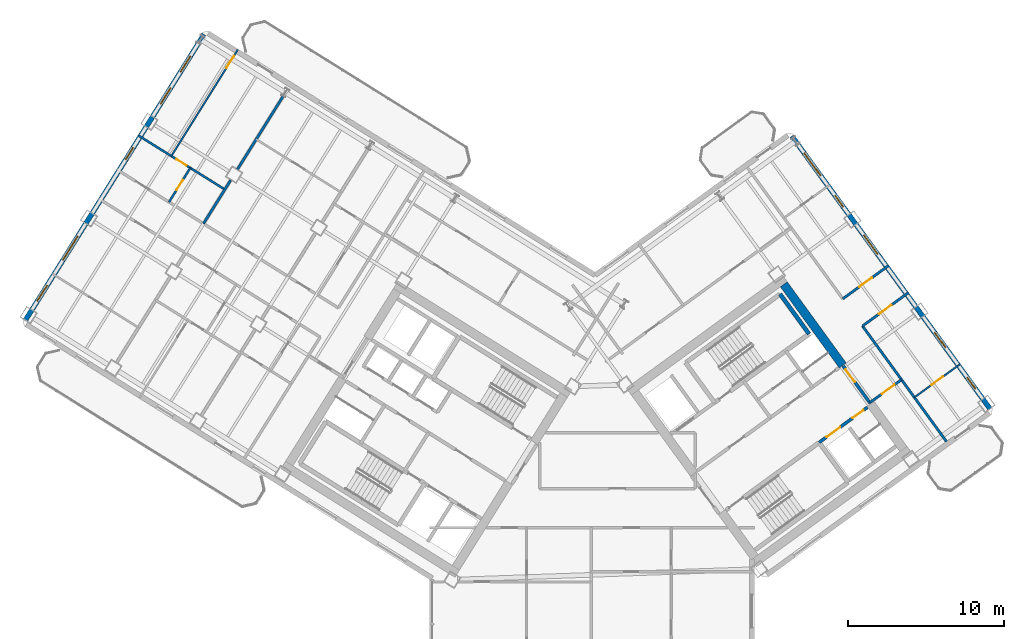
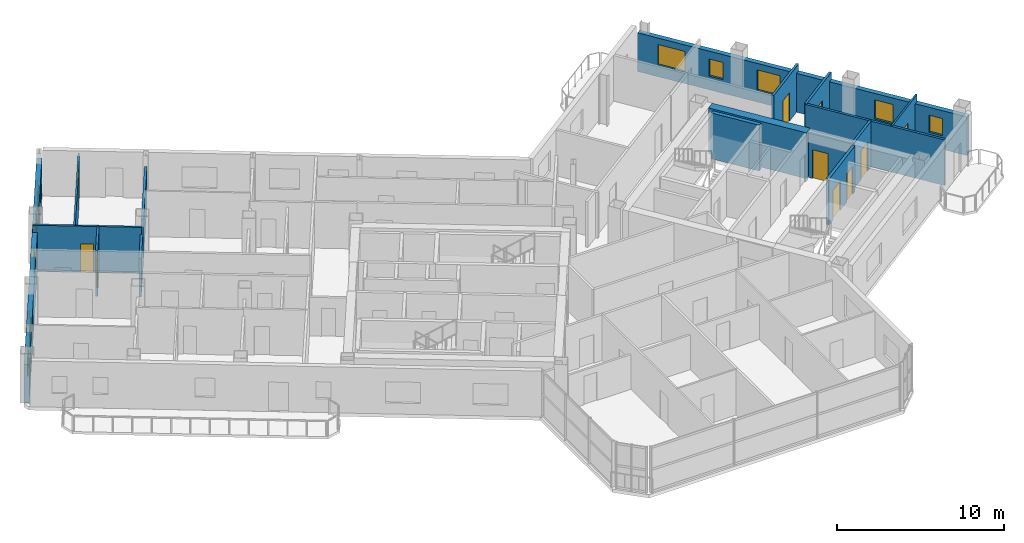
# One storey, part 15 of 20: 16 walls, 10 doors, 10 windows, 20 openings.
"""IFC4 building model written with IfcOpenShell, lengths in metres."""

from ifc_helpers import new_model, si_unit, direction, frame, frame_2d, origin, place, context, subcontext, project, spatial, rectangle, extrude, source, transform, mapped, material, layer, layer_set, type_object, element, fill, save


model = new_model("IFC4")

# Units and contexts
model_context = context("Model", 3, precision=1e-05, world=origin(), true_north=direction((0.0, 1.0)))
body_context = subcontext(model_context, "Body", "Model", "MODEL_VIEW")
ifc_project = project(units=[si_unit("LENGTHUNIT", "METRE"), si_unit("AREAUNIT", "SQUARE_METRE"), si_unit("VOLUMEUNIT", "CUBIC_METRE"), si_unit("PLANEANGLEUNIT", "RADIAN"), si_unit("MASSUNIT", "GRAM", prefix="KILO")], contexts=[model_context])

# Site, building, storey
site_placement = place(None, origin())
site = spatial("IfcSite", under=ifc_project, at=site_placement, CompositionType="ELEMENT")
building_placement = place(site_placement, origin())
building = spatial("IfcBuilding", under=site, at=building_placement, Name="Tlacorven Tower", CompositionType="ELEMENT")
storey_placement = place(building_placement, frame((0.0, 0.0, 187.800048828125)))
storey = spatial("IfcBuildingStorey", under=building, at=storey_placement, Name="L47", CompositionType="ELEMENT", Elevation=187.800048828125)

# Walls
ifc_material_1 = material(Name="Concrete C60/75", Category="concrete")
ifc_layer_1 = layer(ifc_material_1, 0.550048828125)
ifc_layer_set_1 = layer_set([ifc_layer_1], Name="Concrete C60/75")
wall_type_1 = type_object("IfcWallType", Name="WL-COR-550", PredefinedType="SHEAR", material=ifc_layer_set_1)
wall_1_placement = place(storey_placement, frame((58.06396484375, 25.8134765625, 0.0), z_axis=(0.0, 0.0, 1.0), x_axis=(-0.587764933797, 0.809031756236, 0.0)))
element("IfcWall", 1, at=wall_1_placement, inside=storey, type_object=wall_type_1, Name="L47 E core end wall E2.2", PredefinedType="SHEAR", context=body_context, shape_type="SweptSolid", body=[
    extrude(rectangle(XDim=6.425048828125, YDim=0.550048828125, at=frame_2d((3.21240234375, 0.0))), origin(), (0.0, 0.0, 1.0), 3.349853515625),
])
ifc_material_2 = material(Name="Gypsum plasterboard acoustic partition", Category="gypsum")
ifc_layer_2 = layer(ifc_material_2, 0.159912109375)
ifc_layer_set_2 = layer_set([ifc_layer_2], Name="Gypsum plasterboard acoustic partition")
wall_type_2 = type_object("IfcWallType", Name="WL-DEM-160", PredefinedType="PARTITIONING", material=ifc_layer_set_2)
wall_2_placement = place(storey_placement, frame((22.206298828125, 43.048828125, 0.0), z_axis=(0.0, 0.0, 1.0), x_axis=(-0.529919150083, -0.848048167486, 0.0)))
element("IfcWall", 2, at=wall_2_placement, inside=storey, type_object=wall_type_2, Name="L47 WS Demising Wall 2", PredefinedType="PARTITIONING", context=body_context, shape_type="SweptSolid", body=[
    extrude(rectangle(XDim=5.5009765625, YDim=0.159912109375, at=frame_2d((2.75048828125, 0.0))), origin(), (0.0, 0.0, 1.0), 2.824951171875),
])
wall_3_placement = place(storey_placement, frame((18.8544921875, 37.684814453125, 0.0), z_axis=(0.0, 0.0, 1.0), x_axis=(-0.529885466561, -0.848069214349, 0.0)))
element("IfcWall", 3, at=wall_3_placement, inside=storey, type_object=wall_type_2, Name="L47 WS Demising Wall 2", PredefinedType="PARTITIONING", context=body_context, shape_type="SweptSolid", body=[
    extrude(rectangle(XDim=3.287841796875, YDim=0.159912109375, at=frame_2d((1.64404296875, 0.0))), origin(), (0.0, 0.0, 1.0), 2.824951171875),
])

# Wall, opening, door
wall_4_placement = place(storey_placement, frame((59.7978515625, 23.427001953125, 0.0), z_axis=(0.0, 0.0, 1.0), x_axis=(0.809034604122, 0.587761013791, 0.0)))
wall_4 = element("IfcWall", 4, at=wall_4_placement, inside=storey, type_object=wall_type_2, Name="L47 partition 87", PredefinedType="PARTITIONING", context=body_context, shape_type="SweptSolid", body=[
    extrude(rectangle(XDim=2.510009765625, YDim=0.159912109375, at=frame_2d((1.2548828125, 0.0))), origin(), (0.0, 0.0, 1.0), 3.33984375),
])
opening_1_placement = place(wall_4_placement, frame((0.949951171875, 0.0, 0.0)))
opening_1 = element("IfcOpeningElement", 5, at=opening_1_placement, cuts=wall_4, Name="Opening D11", PredefinedType="OPENING", context=body_context, shape_type="SweptSolid", body=[
    extrude(rectangle(XDim=1.0, YDim=2.10009765625, at=frame_2d((0.5, 1.050048828125))), frame((0.0, 0.08984375, 0.0), z_axis=(0.0, -1.0, 0.0), x_axis=(1.0, 0.0, 0.0)), (0.0, 0.0, 1.0), 0.179931640625),
])
ifc_material_3 = material(Name="Fire-rated steel door assembly", Category="steel")
door_type_1 = type_object("IfcDoorType", Name="DR-FLT-FD60-1000", OperationType="NOTDEFINED", PredefinedType="DOOR", material=ifc_material_3)
shared_shape_1 = source(origin(), body_context, "Body", "SweptSolid", [
    extrude(rectangle(XDim=1.0, YDim=2.10009765625, at=frame_2d((0.5, 1.050048828125))), frame((0.0, 0.02490234375, 0.0), z_axis=(0.0, -1.0, 0.0), x_axis=(1.0, 0.0, 0.0)), (0.0, 0.0, 1.0), 0.050048828125),
])
door_1_placement = place(opening_1_placement, frame((1.0, 0.0, 0.0), z_axis=(0.0, 0.0, 1.0), x_axis=(-1.0, 0.0, 0.0)))
door_1 = element("IfcDoor", 6, at=door_1_placement, inside=storey, type_object=door_type_1, Name="L47 door 056", OperationType="SINGLE_SWING_RIGHT", OverallHeight=2.10009765625, OverallWidth=1.0, PredefinedType="DOOR", context=body_context, shape_type="MappedRepresentation", body=[
    mapped(shared_shape_1, transform((0.0, 0.0, 0.0), scale=1.0)),
])
fill(opening_1, door_1)

# Wall
wall_5_placement = place(storey_placement, frame((64.708740234375, 20.93798828125, 0.0), z_axis=(0.0, 0.0, 1.0), x_axis=(-0.587776590479, 0.80902328748, 0.0)))
element("IfcWall", 7, at=wall_5_placement, inside=storey, type_object=wall_type_2, Name="L47 partition 89", PredefinedType="PARTITIONING", context=body_context, shape_type="SweptSolid", body=[
    extrude(rectangle(XDim=9.150146484375, YDim=0.159912109375, at=frame_2d((4.5751953125, 0.0))), origin(), (0.0, 0.0, 1.0), 3.33984375),
])

# Wall, opening, door
wall_6_placement = place(storey_placement, frame((59.33056640625, 28.340576171875, 0.0), z_axis=(0.0, 0.0, 1.0), x_axis=(0.809003564202, 0.587803736896, 0.0)))
wall_6 = element("IfcWall", 8, at=wall_6_placement, inside=storey, type_object=wall_type_2, Name="L47 partition 92", PredefinedType="PARTITIONING", context=body_context, shape_type="SweptSolid", body=[
    extrude(rectangle(XDim=3.630126953125, YDim=0.159912109375, at=frame_2d((1.81494140625, 0.0))), origin(), (0.0, 0.0, 1.0), 3.33984375),
])
opening_2_placement = place(wall_6_placement, frame((1.304931640625, 0.0, 0.0)))
opening_2 = element("IfcOpeningElement", 9, at=opening_2_placement, cuts=wall_6, Name="Opening D11", PredefinedType="OPENING", context=body_context, shape_type="SweptSolid", body=[
    extrude(rectangle(XDim=1.0, YDim=2.10009765625, at=frame_2d((0.5, 1.050048828125))), frame((0.0, 0.08984375, 0.0), z_axis=(0.0, -1.0, 0.0), x_axis=(1.0, 0.0, 0.0)), (0.0, 0.0, 1.0), 0.179931640625),
])
door_2_placement = place(opening_2_placement, origin())
door_2 = element("IfcDoor", 10, at=door_2_placement, inside=storey, type_object=door_type_1, Name="L47 door 060", OperationType="SINGLE_SWING_RIGHT", OverallHeight=2.10009765625, OverallWidth=1.0, PredefinedType="DOOR", context=body_context, shape_type="MappedRepresentation", body=[
    mapped(shared_shape_1, transform((0.0, 0.0, 0.0), scale=1.0)),
])
fill(opening_2, door_2)

wall_7_placement = place(storey_placement, frame((58.06689453125, 30.080078125, 0.0), z_axis=(0.0, 0.0, 1.0), x_axis=(0.809012309495, 0.587791700422, 0.0)))
wall_7 = element("IfcWall", 11, at=wall_7_placement, inside=storey, type_object=wall_type_2, Name="L47 partition 93", PredefinedType="PARTITIONING", context=body_context, shape_type="SweptSolid", body=[
    extrude(rectangle(XDim=3.6298828125, YDim=0.159912109375, at=frame_2d((1.81494140625, 0.0))), origin(), (0.0, 0.0, 1.0), 3.33984375),
])
opening_3_placement = place(wall_7_placement, frame((1.304931640625, 0.0, 0.0)))
opening_3 = element("IfcOpeningElement", 12, at=opening_3_placement, cuts=wall_7, Name="Opening D11", PredefinedType="OPENING", context=body_context, shape_type="SweptSolid", body=[
    extrude(rectangle(XDim=1.0, YDim=2.10009765625, at=frame_2d((0.5, 1.050048828125))), frame((0.0, 0.08984375, 0.0), z_axis=(0.0, -1.0, 0.0), x_axis=(1.0, 0.0, 0.0)), (0.0, 0.0, 1.0), 0.179931640625),
])
door_3_placement = place(opening_3_placement, origin())
door_3 = element("IfcDoor", 13, at=door_3_placement, inside=storey, type_object=door_type_1, Name="L47 door 058", OperationType="SINGLE_SWING_RIGHT", OverallHeight=2.10009765625, OverallWidth=1.0, PredefinedType="DOOR", context=body_context, shape_type="MappedRepresentation", body=[
    mapped(shared_shape_1, transform((0.0, 0.0, 0.0), scale=1.0)),
])
fill(opening_3, door_3)

# Wall, openings, windows
ifc_material_4 = material(Name="Precast concrete C45/55", Category="concrete")
ifc_layer_3 = layer(ifc_material_4, 0.320068359375)
ifc_layer_set_3 = layer_set([ifc_layer_3], Name="Precast concrete C45/55")
wall_type_3 = type_object("IfcWallType", Name="WL-EXT-320", PredefinedType="STANDARD", material=ifc_layer_set_3)
wall_8_placement = place(storey_placement, frame((5.699951171875, 28.71044921875, 0.0), z_axis=(0.0, 0.0, 1.0), x_axis=(0.529923711467, 0.8480453172, 0.0)))
wall_8 = element("IfcWall", 14, at=wall_8_placement, inside=storey, type_object=wall_type_3, Name="L47 Masonry-Frame Recessed Facade Wall 2", PredefinedType="STANDARD", context=body_context, shape_type="SweptSolid", body=[
    extrude(rectangle(XDim=21.58740234375, YDim=0.320068359375, at=frame_2d((10.793701171875, 0.0))), origin(), (0.0, 0.0, 1.0), 2.824951171875),
])
opening_4_placement = place(wall_8_placement, frame((1.440185546875, 0.0, 0.949951171875)))
opening_4 = element("IfcOpeningElement", 15, at=opening_4_placement, cuts=wall_8, Name="Opening WN03", PredefinedType="OPENING", context=body_context, shape_type="SweptSolid", body=[
    extrude(rectangle(XDim=1.199951171875, YDim=1.39990234375, at=frame_2d((0.60009765625, 0.699951171875))), frame((0.0, 0.169921875, 0.0), z_axis=(0.0, -1.0, 0.0), x_axis=(1.0, 0.0, 0.0)), (0.0, 0.0, 1.0), 0.340087890625),
])
opening_5_placement = place(wall_8_placement, frame((4.545166015625, 0.0, 0.85009765625)))
opening_5 = element("IfcOpeningElement", 16, at=opening_5_placement, cuts=wall_8, Name="Opening WN01", PredefinedType="OPENING", context=body_context, shape_type="SweptSolid", body=[
    extrude(rectangle(XDim=1.800048828125, YDim=1.5, at=frame_2d((0.89990234375, 0.75))), frame((0.0, 0.169921875, 0.0), z_axis=(0.0, -1.0, 0.0), x_axis=(1.0, 0.0, 0.0)), (0.0, 0.0, 1.0), 0.340087890625),
])
opening_6_placement = place(wall_8_placement, frame((12.138671875, 0.0, 1.0)))
opening_6 = element("IfcOpeningElement", 17, at=opening_6_placement, cuts=wall_8, Name="Opening WN05", PredefinedType="OPENING", context=body_context, shape_type="SweptSolid", body=[
    extrude(rectangle(XDim=0.89990234375, YDim=1.25, at=frame_2d((0.449951171875, 0.625))), frame((0.0, 0.169921875, 0.0), z_axis=(0.0, -1.0, 0.0), x_axis=(1.0, 0.0, 0.0)), (0.0, 0.0, 1.0), 0.340087890625),
])
opening_7_placement = place(wall_8_placement, frame((16.35009765625, 0.0, 0.949951171875)))
opening_7 = element("IfcOpeningElement", 18, at=opening_7_placement, cuts=wall_8, Name="Opening WN03", PredefinedType="OPENING", context=body_context, shape_type="SweptSolid", body=[
    extrude(rectangle(XDim=1.199951171875, YDim=1.39990234375, at=frame_2d((0.60009765625, 0.699951171875))), frame((0.0, 0.169921875, 0.0), z_axis=(0.0, -1.0, 0.0), x_axis=(1.0, 0.0, 0.0)), (0.0, 0.0, 1.0), 0.340087890625),
])
opening_8_placement = place(wall_8_placement, frame((18.762451171875, 0.0, 0.949951171875)))
opening_8 = element("IfcOpeningElement", 19, at=opening_8_placement, cuts=wall_8, Name="Opening WN03", PredefinedType="OPENING", context=body_context, shape_type="SweptSolid", body=[
    extrude(rectangle(XDim=1.199951171875, YDim=1.39990234375, at=frame_2d((0.60009765625, 0.699951171875))), frame((0.0, 0.169921875, 0.0), z_axis=(0.0, -1.0, 0.0), x_axis=(1.0, 0.0, 0.0)), (0.0, 0.0, 1.0), 0.340087890625),
])
ifc_material_5 = material(Name="Dark solar low-E double glazing in anodised aluminium frame", Category="aluminium")
window_type_1 = type_object("IfcWindowType", Name="WN-APT-1200X1500", PartitioningType="SINGLE_PANEL", PredefinedType="WINDOW", material=ifc_material_5)
shared_shape_2 = source(origin(), body_context, "Body", "SweptSolid", [
    extrude(rectangle(XDim=1.199951171875, YDim=1.39990234375, at=frame_2d((0.60009765625, 0.699951171875))), frame((0.0, 0.030029296875, 0.0), z_axis=(0.0, -1.0, 0.0), x_axis=(1.0, 0.0, 0.0)), (0.0, 0.0, 1.0), 0.06005859375),
])
window_1_placement = place(opening_4_placement, origin())
window_1 = element("IfcWindow", 20, at=window_1_placement, inside=storey, type_object=window_type_1, Name="L47 Recessed Masonry-Frame Window L47-02.1", OverallHeight=1.39990234375, OverallWidth=1.199951171875, PartitioningType="SINGLE_PANEL", PredefinedType="WINDOW", context=body_context, shape_type="MappedRepresentation", body=[
    mapped(shared_shape_2, transform((0.0, 0.0, 0.0), scale=1.0)),
])
fill(opening_4, window_1)
window_2_placement = place(opening_7_placement, origin())
window_2 = element("IfcWindow", 21, at=window_2_placement, inside=storey, type_object=window_type_1, Name="L47 Recessed Masonry-Frame Window L47-02.4", OverallHeight=1.39990234375, OverallWidth=1.199951171875, PartitioningType="SINGLE_PANEL", PredefinedType="WINDOW", context=body_context, shape_type="MappedRepresentation", body=[
    mapped(shared_shape_2, transform((0.0, 0.0, 0.0), scale=1.0)),
])
fill(opening_7, window_2)
window_3_placement = place(opening_8_placement, origin())
window_3 = element("IfcWindow", 22, at=window_3_placement, inside=storey, type_object=window_type_1, Name="L47 Recessed Masonry-Frame Window L47-02.5", OverallHeight=1.39990234375, OverallWidth=1.199951171875, PartitioningType="SINGLE_PANEL", PredefinedType="WINDOW", context=body_context, shape_type="MappedRepresentation", body=[
    mapped(shared_shape_2, transform((0.0, 0.0, 0.0), scale=1.0)),
])
fill(opening_8, window_3)
window_type_2 = type_object("IfcWindowType", Name="WN-APT-1800X1650", PartitioningType="SINGLE_PANEL", PredefinedType="WINDOW", material=ifc_material_5)
shared_shape_3 = source(origin(), body_context, "Body", "SweptSolid", [
    extrude(rectangle(XDim=1.800048828125, YDim=1.5, at=frame_2d((0.89990234375, 0.75))), frame((0.0, 0.030029296875, 0.0), z_axis=(0.0, -1.0, 0.0), x_axis=(1.0, 0.0, 0.0)), (0.0, 0.0, 1.0), 0.06005859375),
])
window_4_placement = place(opening_5_placement, origin())
window_4 = element("IfcWindow", 23, at=window_4_placement, inside=storey, type_object=window_type_2, Name="L47 Recessed Masonry-Frame Window L47-02.2", OverallHeight=1.5, OverallWidth=1.800048828125, PartitioningType="SINGLE_PANEL", PredefinedType="WINDOW", context=body_context, shape_type="MappedRepresentation", body=[
    mapped(shared_shape_3, transform((0.0, 0.0, 0.0), scale=1.0)),
])
fill(opening_5, window_4)
window_type_3 = type_object("IfcWindowType", Name="WN-APT-0900X1350", PartitioningType="SINGLE_PANEL", PredefinedType="WINDOW", material=ifc_material_5)
shared_shape_4 = source(origin(), body_context, "Body", "SweptSolid", [
    extrude(rectangle(XDim=0.89990234375, YDim=1.25, at=frame_2d((0.449951171875, 0.625))), frame((0.0, 0.030029296875, 0.0), z_axis=(0.0, -1.0, 0.0), x_axis=(1.0, 0.0, 0.0)), (0.0, 0.0, 1.0), 0.06005859375),
])
window_5_placement = place(opening_6_placement, origin())
window_5 = element("IfcWindow", 24, at=window_5_placement, inside=storey, type_object=window_type_3, Name="L47 Recessed Masonry-Frame Window L47-02.3", OverallHeight=1.25, OverallWidth=0.89990234375, PartitioningType="SINGLE_PANEL", PredefinedType="WINDOW", context=body_context, shape_type="MappedRepresentation", body=[
    mapped(shared_shape_4, transform((0.0, 0.0, 0.0), scale=1.0)),
])
fill(opening_6, window_5)

wall_9_placement = place(storey_placement, frame((54.810302734375, 40.49951171875, 0.0), z_axis=(0.0, 0.0, 1.0), x_axis=(0.587783625747, -0.809018176127, 0.0)))
wall_9 = element("IfcWall", 25, at=wall_9_placement, inside=storey, type_object=wall_type_3, Name="L47 Masonry-Frame Recessed Facade Wall 5", PredefinedType="STANDARD", context=body_context, shape_type="SweptSolid", body=[
    extrude(rectangle(XDim=21.58740234375, YDim=0.320068359375, at=frame_2d((10.793701171875, 0.0))), origin(), (0.0, 0.0, 1.0), 2.824951171875),
])
opening_9_placement = place(wall_9_placement, frame((1.32763671875, 0.0, 0.85009765625)))
opening_9 = element("IfcOpeningElement", 26, at=opening_9_placement, cuts=wall_9, Name="Opening WN01", PredefinedType="OPENING", context=body_context, shape_type="SweptSolid", body=[
    extrude(rectangle(XDim=1.800048828125, YDim=1.5, at=frame_2d((0.89990234375, 0.75))), frame((0.0, 0.169921875, 0.0), z_axis=(0.0, -1.0, 0.0), x_axis=(1.0, 0.0, 0.0)), (0.0, 0.0, 1.0), 0.340087890625),
])
opening_10_placement = place(wall_9_placement, frame((4.6953125, 0.0, 1.0)))
opening_10 = element("IfcOpeningElement", 27, at=opening_10_placement, cuts=wall_9, Name="Opening WN05", PredefinedType="OPENING", context=body_context, shape_type="SweptSolid", body=[
    extrude(rectangle(XDim=0.89990234375, YDim=1.25, at=frame_2d((0.449951171875, 0.625))), frame((0.0, 0.169921875, 0.0), z_axis=(0.0, -1.0, 0.0), x_axis=(1.0, 0.0, 0.0)), (0.0, 0.0, 1.0), 0.340087890625),
])
opening_11_placement = place(wall_9_placement, frame((7.82861328125, 0.0, 0.85009765625)))
opening_11 = element("IfcOpeningElement", 28, at=opening_11_placement, cuts=wall_9, Name="Opening WN02", PredefinedType="OPENING", context=body_context, shape_type="SweptSolid", body=[
    extrude(rectangle(XDim=1.5, YDim=1.5, at=frame_2d((0.75, 0.75))), frame((0.0, 0.169921875, 0.0), z_axis=(0.0, -1.0, 0.0), x_axis=(1.0, 0.0, 0.0)), (0.0, 0.0, 1.0), 0.340087890625),
])
opening_12_placement = place(wall_9_placement, frame((15.542236328125, 0.0, 0.949951171875)))
opening_12 = element("IfcOpeningElement", 29, at=opening_12_placement, cuts=wall_9, Name="Opening WN03", PredefinedType="OPENING", context=body_context, shape_type="SweptSolid", body=[
    extrude(rectangle(XDim=1.199951171875, YDim=1.39990234375, at=frame_2d((0.60009765625, 0.699951171875))), frame((0.0, 0.169921875, 0.0), z_axis=(0.0, -1.0, 0.0), x_axis=(1.0, 0.0, 0.0)), (0.0, 0.0, 1.0), 0.340087890625),
])
opening_13_placement = place(wall_9_placement, frame((19.09716796875, 0.0, 1.0)))
opening_13 = element("IfcOpeningElement", 30, at=opening_13_placement, cuts=wall_9, Name="Opening WN05", PredefinedType="OPENING", context=body_context, shape_type="SweptSolid", body=[
    extrude(rectangle(XDim=0.89990234375, YDim=1.25, at=frame_2d((0.449951171875, 0.625))), frame((0.0, 0.169921875, 0.0), z_axis=(0.0, -1.0, 0.0), x_axis=(1.0, 0.0, 0.0)), (0.0, 0.0, 1.0), 0.340087890625),
])
window_6_placement = place(opening_12_placement, origin())
window_6 = element("IfcWindow", 31, at=window_6_placement, inside=storey, type_object=window_type_1, Name="L47 Recessed Masonry-Frame Window L47-05.4", OverallHeight=1.39990234375, OverallWidth=1.199951171875, PartitioningType="SINGLE_PANEL", PredefinedType="WINDOW", context=body_context, shape_type="MappedRepresentation", body=[
    mapped(shared_shape_2, transform((0.0, 0.0, 0.0), scale=1.0)),
])
fill(opening_12, window_6)
window_7_placement = place(opening_9_placement, origin())
window_7 = element("IfcWindow", 32, at=window_7_placement, inside=storey, type_object=window_type_2, Name="L47 Recessed Masonry-Frame Window L47-05.1", OverallHeight=1.5, OverallWidth=1.800048828125, PartitioningType="SINGLE_PANEL", PredefinedType="WINDOW", context=body_context, shape_type="MappedRepresentation", body=[
    mapped(shared_shape_3, transform((0.0, 0.0, 0.0), scale=1.0)),
])
fill(opening_9, window_7)
window_type_4 = type_object("IfcWindowType", Name="WN-APT-1500X1650", PartitioningType="SINGLE_PANEL", PredefinedType="WINDOW", material=ifc_material_5)
shared_shape_5 = source(origin(), body_context, "Body", "SweptSolid", [
    extrude(rectangle(XDim=1.5, YDim=1.5, at=frame_2d((0.75, 0.75))), frame((0.0, 0.030029296875, 0.0), z_axis=(0.0, -1.0, 0.0), x_axis=(1.0, 0.0, 0.0)), (0.0, 0.0, 1.0), 0.06005859375),
])
window_8_placement = place(opening_11_placement, origin())
window_8 = element("IfcWindow", 33, at=window_8_placement, inside=storey, type_object=window_type_4, Name="L47 Recessed Masonry-Frame Window L47-05.3", OverallHeight=1.5, OverallWidth=1.5, PartitioningType="SINGLE_PANEL", PredefinedType="WINDOW", context=body_context, shape_type="MappedRepresentation", body=[
    mapped(shared_shape_5, transform((0.0, 0.0, 0.0), scale=1.0)),
])
fill(opening_11, window_8)
window_9_placement = place(opening_10_placement, origin())
window_9 = element("IfcWindow", 34, at=window_9_placement, inside=storey, type_object=window_type_3, Name="L47 Recessed Masonry-Frame Window L47-05.2", OverallHeight=1.25, OverallWidth=0.89990234375, PartitioningType="SINGLE_PANEL", PredefinedType="WINDOW", context=body_context, shape_type="MappedRepresentation", body=[
    mapped(shared_shape_4, transform((0.0, 0.0, 0.0), scale=1.0)),
])
fill(opening_10, window_9)
window_10_placement = place(opening_13_placement, origin())
window_10 = element("IfcWindow", 35, at=window_10_placement, inside=storey, type_object=window_type_3, Name="L47 Recessed Masonry-Frame Window L47-05.5", OverallHeight=1.25, OverallWidth=0.89990234375, PartitioningType="SINGLE_PANEL", PredefinedType="WINDOW", context=body_context, shape_type="MappedRepresentation", body=[
    mapped(shared_shape_4, transform((0.0, 0.0, 0.0), scale=1.0)),
])
fill(opening_13, window_10)

# Wall, opening, door
ifc_material_6 = material(Name="Gypsum plasterboard partition", Category="gypsum")
ifc_layer_4 = layer(ifc_material_6, 0.110107421875)
ifc_layer_set_4 = layer_set([ifc_layer_4], Name="Gypsum plasterboard partition")
wall_type_4 = type_object("IfcWallType", Name="WL-INT-110", PredefinedType="PARTITIONING", material=ifc_layer_set_4)
wall_10_placement = place(storey_placement, frame((19.312255859375, 46.044677734375, 0.0), z_axis=(0.0, 0.0, 1.0), x_axis=(-0.529933431478, -0.848039243315, 0.0)))
wall_10 = element("IfcWall", 36, at=wall_10_placement, inside=storey, type_object=wall_type_4, Name="L47 partition 65", PredefinedType="PARTITIONING", context=body_context, shape_type="SweptSolid", body=[
    extrude(rectangle(XDim=8.0400390625, YDim=0.110107421875, at=frame_2d((4.02001953125, 0.0))), origin(), (0.0, 0.0, 1.0), 2.994873046875),
])
opening_14_placement = place(wall_10_placement, frame((0.469970703125, 0.0, 0.0)))
opening_14 = element("IfcOpeningElement", 37, at=opening_14_placement, cuts=wall_10, Name="Opening D12", PredefinedType="OPENING", context=body_context, shape_type="SweptSolid", body=[
    extrude(rectangle(XDim=0.919921875, YDim=2.080078125, at=frame_2d((0.4599609375, 1.0400390625))), frame((0.0, 0.06494140625, 0.0), z_axis=(0.0, -1.0, 0.0), x_axis=(1.0, 0.0, 0.0)), (0.0, 0.0, 1.0), 0.130126953125),
])
ifc_material_7 = material(Name="Powder-coated aluminium and timber door", Category="wood")
door_type_2 = type_object("IfcDoorType", Name="DR-INT-ROOM-0920", OperationType="NOTDEFINED", PredefinedType="DOOR", material=ifc_material_7)
shared_shape_6 = source(origin(), body_context, "Body", "SweptSolid", [
    extrude(rectangle(XDim=0.919921875, YDim=2.080078125, at=frame_2d((0.4599609375, 1.0400390625))), frame((0.0, 0.02490234375, 0.0), z_axis=(0.0, -1.0, 0.0), x_axis=(1.0, 0.0, 0.0)), (0.0, 0.0, 1.0), 0.050048828125),
])
door_4_placement = place(opening_14_placement, origin())
door_4 = element("IfcDoor", 38, at=door_4_placement, inside=storey, type_object=door_type_2, Name="L47 door 036", OperationType="SINGLE_SWING_RIGHT", OverallHeight=2.080078125, OverallWidth=0.919921875, PredefinedType="DOOR", context=body_context, shape_type="MappedRepresentation", body=[
    mapped(shared_shape_6, transform((0.0, 0.0, 0.0), scale=1.0)),
])
fill(opening_14, door_4)

wall_11_placement = place(storey_placement, frame((62.652587890625, 23.76806640625, 0.0), z_axis=(0.0, 0.0, 1.0), x_axis=(0.809037198293, 0.58775744298, 0.0)))
wall_11 = element("IfcWall", 39, at=wall_11_placement, inside=storey, type_object=wall_type_4, Name="L47 partition 95", PredefinedType="PARTITIONING", context=body_context, shape_type="SweptSolid", body=[
    extrude(rectangle(XDim=3.610107421875, YDim=0.110107421875, at=frame_2d((1.80517578125, 0.0))), origin(), (0.0, 0.0, 1.0), 3.33984375),
])
opening_15_placement = place(wall_11_placement, frame((1.344970703125, 0.0, 0.0)))
opening_15 = element("IfcOpeningElement", 40, at=opening_15_placement, cuts=wall_11, Name="Opening D12", PredefinedType="OPENING", context=body_context, shape_type="SweptSolid", body=[
    extrude(rectangle(XDim=0.919921875, YDim=2.080078125, at=frame_2d((0.4599609375, 1.0400390625))), frame((0.0, 0.06494140625, 0.0), z_axis=(0.0, -1.0, 0.0), x_axis=(1.0, 0.0, 0.0)), (0.0, 0.0, 1.0), 0.130126953125),
])
door_5_placement = place(opening_15_placement, origin())
door_5 = element("IfcDoor", 41, at=door_5_placement, inside=storey, type_object=door_type_2, Name="L47 door 061", OperationType="SINGLE_SWING_LEFT", OverallHeight=2.080078125, OverallWidth=0.919921875, PredefinedType="DOOR", context=body_context, shape_type="MappedRepresentation", body=[
    mapped(shared_shape_6, transform((0.0, 0.0, 0.0), scale=1.0)),
])
fill(opening_15, door_5)

ifc_material_8 = material(Name="Moisture-resistant gypsum plumbing wall", Category="gypsum")
ifc_layer_5 = layer(ifc_material_8, 0.139892578125)
ifc_layer_set_5 = layer_set([ifc_layer_5], Name="Moisture-resistant gypsum plumbing wall")
wall_type_5 = type_object("IfcWallType", Name="WL-PLM-140", PredefinedType="PLUMBINGWALL", material=ifc_layer_set_5)
wall_12_placement = place(storey_placement, frame((18.4794921875, 37.08447265625, 0.0), z_axis=(0.0, 0.0, 1.0), x_axis=(-0.848048787466, 0.529918157905, 0.0)))
wall_12 = element("IfcWall", 42, at=wall_12_placement, inside=storey, type_object=wall_type_5, Name="L47 partition 63", PredefinedType="PLUMBINGWALL", context=body_context, shape_type="SweptSolid", body=[
    extrude(rectangle(XDim=6.52001953125, YDim=0.139892578125, at=frame_2d((3.260009765625, 0.0))), origin(), (0.0, 0.0, 1.0), 3.33984375),
])
opening_16_placement = place(wall_12_placement, frame((2.885009765625, 0.0, 0.0)))
opening_16 = element("IfcOpeningElement", 43, at=opening_16_placement, cuts=wall_12, Name="Opening D22", PredefinedType="OPENING", context=body_context, shape_type="SweptSolid", body=[
    extrude(rectangle(XDim=0.780029296875, YDim=2.050048828125, at=frame_2d((0.39013671875, 1.02490234375))), frame((0.0, 0.080078125, 0.0), z_axis=(0.0, -1.0, 0.0), x_axis=(1.0, 0.0, 0.0)), (0.0, 0.0, 1.0), 0.159912109375),
])
door_type_3 = type_object("IfcDoorType", Name="DR-INT-WET-0780", OperationType="NOTDEFINED", PredefinedType="DOOR", material=ifc_material_7)
shared_shape_7 = source(origin(), body_context, "Body", "SweptSolid", [
    extrude(rectangle(XDim=0.780029296875, YDim=2.050048828125, at=frame_2d((0.39013671875, 1.02490234375))), frame((0.0, 0.02490234375, 0.0), z_axis=(0.0, -1.0, 0.0), x_axis=(1.0, 0.0, 0.0)), (0.0, 0.0, 1.0), 0.050048828125),
])
door_6_placement = place(opening_16_placement, origin())
door_6 = element("IfcDoor", 44, at=door_6_placement, inside=storey, type_object=door_type_3, Name="L47 door 038", OperationType="SINGLE_SWING_RIGHT", OverallHeight=2.050048828125, OverallWidth=0.780029296875, PredefinedType="DOOR", context=body_context, shape_type="MappedRepresentation", body=[
    mapped(shared_shape_7, transform((0.0, 0.0, 0.0), scale=1.0)),
])
fill(opening_16, door_6)

wall_13_placement = place(storey_placement, frame((16.267822265625, 38.466552734375, 0.0), z_axis=(0.0, 0.0, 1.0), x_axis=(-0.529913878929, -0.848051461244, 0.0)))
wall_13 = element("IfcWall", 45, at=wall_13_placement, inside=storey, type_object=wall_type_5, Name="L47 partition 64", PredefinedType="PLUMBINGWALL", context=body_context, shape_type="SweptSolid", body=[
    extrude(rectangle(XDim=2.580078125, YDim=0.139892578125, at=frame_2d((1.2900390625, 0.0))), origin(), (0.0, 0.0, 1.0), 3.33984375),
])
opening_17_placement = place(wall_13_placement, frame((0.89990234375, 0.0, 0.0)))
opening_17 = element("IfcOpeningElement", 46, at=opening_17_placement, cuts=wall_13, Name="Opening D22", PredefinedType="OPENING", context=body_context, shape_type="SweptSolid", body=[
    extrude(rectangle(XDim=0.780029296875, YDim=2.050048828125, at=frame_2d((0.39013671875, 1.02490234375))), frame((0.0, 0.080078125, 0.0), z_axis=(0.0, -1.0, 0.0), x_axis=(1.0, 0.0, 0.0)), (0.0, 0.0, 1.0), 0.159912109375),
])
door_7_placement = place(opening_17_placement, origin())
door_7 = element("IfcDoor", 47, at=door_7_placement, inside=storey, type_object=door_type_3, Name="L47 door 039", OperationType="SINGLE_SWING_LEFT", OverallHeight=2.050048828125, OverallWidth=0.780029296875, PredefinedType="DOOR", context=body_context, shape_type="MappedRepresentation", body=[
    mapped(shared_shape_7, transform((0.0, 0.0, 0.0), scale=1.0)),
])
fill(opening_17, door_7)

# Wall, openings, doors
ifc_material_9 = material(Name="Concrete C40/50", Category="concrete")
ifc_layer_6 = layer(ifc_material_9, 0.199951171875)
ifc_layer_set_6 = layer_set([ifc_layer_6], Name="Concrete C40/50")
wall_type_6 = type_object("IfcWallType", Name="WL-SHF-200", PredefinedType="STANDARD", material=ifc_layer_set_6)
wall_14_placement = place(storey_placement, frame((56.552978515625, 20.884033203125, 0.0), z_axis=(0.0, 0.0, 1.0), x_axis=(0.809023564264, 0.58777620951, 0.0)))
wall_14 = element("IfcWall", 48, at=wall_14_placement, inside=storey, type_object=wall_type_6, Name="L47 Core E South Lift Shaft Wall", PredefinedType="STANDARD", context=body_context, shape_type="SweptSolid", body=[
    extrude(rectangle(XDim=3.818115234375, YDim=0.199951171875, at=frame_2d((1.9091796875, 0.0))), origin(), (0.0, 0.0, 1.0), 3.33984375),
])
opening_18_placement = place(wall_14_placement, frame((0.570068359375, 0.0, 0.0)))
opening_18 = element("IfcOpeningElement", 49, at=opening_18_placement, cuts=wall_14, Name="Opening LD01", PredefinedType="OPENING", context=body_context, shape_type="SweptSolid", body=[
    extrude(rectangle(XDim=1.10009765625, YDim=2.14990234375, at=frame_2d((0.550048828125, 1.074951171875))), frame((0.0, 0.10986328125, 0.0), z_axis=(0.0, -1.0, 0.0), x_axis=(1.0, 0.0, 0.0)), (0.0, 0.0, 1.0), 0.219970703125),
])
opening_19_placement = place(wall_14_placement, frame((2.64990234375, 0.0, 0.0)))
opening_19 = element("IfcOpeningElement", 50, at=opening_19_placement, cuts=wall_14, Name="Opening D19", PredefinedType="OPENING", context=body_context, shape_type="SweptSolid", body=[
    extrude(rectangle(XDim=0.860107421875, YDim=2.050048828125, at=frame_2d((0.43017578125, 1.02490234375))), frame((0.0, 0.10986328125, 0.0), z_axis=(0.0, -1.0, 0.0), x_axis=(1.0, 0.0, 0.0)), (0.0, 0.0, 1.0), 0.219970703125),
])
door_type_4 = type_object("IfcDoorType", Name="DR-RSR-FD60-0860", OperationType="NOTDEFINED", PredefinedType="DOOR", material=ifc_material_3)
shared_shape_8 = source(origin(), body_context, "Body", "SweptSolid", [
    extrude(rectangle(XDim=0.860107421875, YDim=2.050048828125, at=frame_2d((0.43017578125, 1.02490234375))), frame((0.0, 0.02490234375, 0.0), z_axis=(0.0, -1.0, 0.0), x_axis=(1.0, 0.0, 0.0)), (0.0, 0.0, 1.0), 0.050048828125),
])
door_8_placement = place(opening_19_placement, origin())
door_8 = element("IfcDoor", 51, at=door_8_placement, inside=storey, type_object=door_type_4, Name="L47 Smoke Extract Riser Access Door", OperationType="SINGLE_SWING_LEFT", OverallHeight=2.050048828125, OverallWidth=0.860107421875, PredefinedType="DOOR", context=body_context, shape_type="MappedRepresentation", body=[
    mapped(shared_shape_8, transform((0.0, 0.0, 0.0), scale=1.0)),
])
fill(opening_19, door_8)
door_type_5 = type_object("IfcDoorType", Name="DR-LFT-SLID-1100", OperationType="DOUBLE_DOOR_SLIDING", PredefinedType="DOOR", material=ifc_material_3)
shared_shape_9 = source(origin(), body_context, "Body", "SweptSolid", [
    extrude(rectangle(XDim=1.10009765625, YDim=2.14990234375, at=frame_2d((0.550048828125, 1.074951171875))), frame((0.0, 0.02490234375, 0.0), z_axis=(0.0, -1.0, 0.0), x_axis=(1.0, 0.0, 0.0)), (0.0, 0.0, 1.0), 0.050048828125),
])
door_9_placement = place(opening_18_placement, origin())
door_9 = element("IfcDoor", 52, at=door_9_placement, inside=storey, type_object=door_type_5, Name="L47 Lift PL-M4 Sliding Landing Door", OperationType="DOUBLE_DOOR_SLIDING", OverallHeight=2.14990234375, OverallWidth=1.10009765625, PredefinedType="DOOR", context=body_context, shape_type="MappedRepresentation", body=[
    mapped(shared_shape_9, transform((0.0, 0.0, 0.0), scale=1.0)),
])
fill(opening_18, door_9)

# Wall, opening, door
wall_15_placement = place(storey_placement, frame((59.827392578125, 23.386474609375, 0.0), z_axis=(0.0, 0.0, 1.0), x_axis=(-0.587803840107, 0.809003489211, 0.0)))
wall_15 = element("IfcWall", 53, at=wall_15_placement, inside=storey, type_object=wall_type_6, Name="L47 partition 86", PredefinedType="STANDARD", context=body_context, shape_type="SweptSolid", body=[
    extrude(rectangle(XDim=2.960205078125, YDim=0.199951171875, at=frame_2d((1.47998046875, 0.0))), origin(), (0.0, 0.0, 1.0), 3.33984375),
])
opening_20_placement = place(wall_15_placement, frame((1.679931640625, 0.0, 0.0)))
opening_20 = element("IfcOpeningElement", 54, at=opening_20_placement, cuts=wall_15, Name="Opening D11", PredefinedType="OPENING", context=body_context, shape_type="SweptSolid", body=[
    extrude(rectangle(XDim=1.0, YDim=2.10009765625, at=frame_2d((0.5, 1.050048828125))), frame((0.0, 0.10986328125, 0.0), z_axis=(0.0, -1.0, 0.0), x_axis=(1.0, 0.0, 0.0)), (0.0, 0.0, 1.0), 0.219970703125),
])
door_10_placement = place(opening_20_placement, origin())
door_10 = element("IfcDoor", 55, at=door_10_placement, inside=storey, type_object=door_type_1, Name="L47 door 057", OperationType="SINGLE_SWING_LEFT", OverallHeight=2.10009765625, OverallWidth=1.0, PredefinedType="DOOR", context=body_context, shape_type="MappedRepresentation", body=[
    mapped(shared_shape_1, transform((0.0, 0.0, 0.0), scale=1.0)),
])
fill(opening_20, door_10)

# Wall
ifc_material_10 = material(Name="Concrete C50/60", Category="concrete")
ifc_layer_7 = layer(ifc_material_10, 0.260009765625)
ifc_layer_set_7 = layer_set([ifc_layer_7], Name="Concrete C50/60")
wall_type_7 = type_object("IfcWallType", Name="WL-STW-260", PredefinedType="SHEAR", material=ifc_layer_set_7)
wall_16_placement = place(storey_placement, frame((55.906494140625, 27.83056640625, 0.0), z_axis=(0.0, 0.0, 1.0), x_axis=(-0.587804123638, 0.809003283204, 0.0)))
element("IfcWall", 56, at=wall_16_placement, inside=storey, type_object=wall_type_7, Name="L47 Stair E1 East Shear Wall", PredefinedType="SHEAR", context=body_context, shape_type="SweptSolid", body=[
    extrude(rectangle(XDim=3.159912109375, YDim=0.260009765625, at=frame_2d((1.580078125, 0.0))), origin(), (0.0, 0.0, 1.0), 3.349853515625),
])

save(model, "model.ifc")
